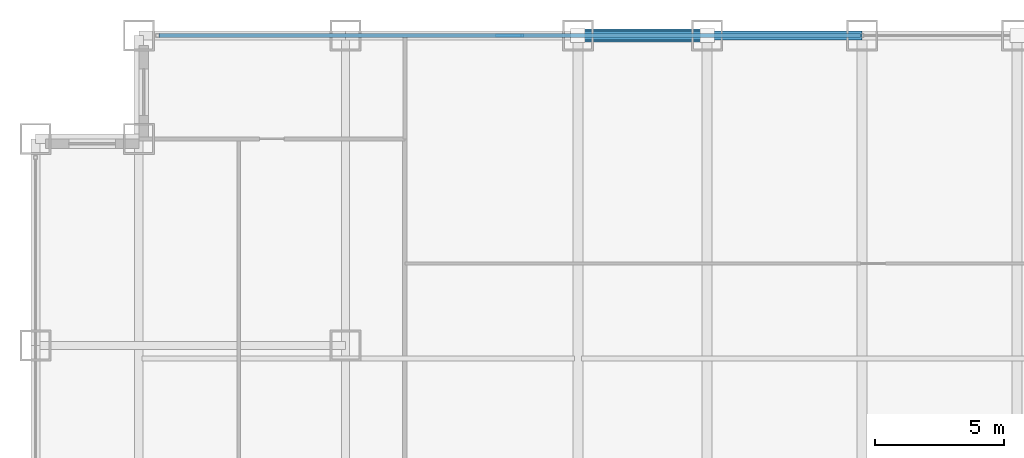
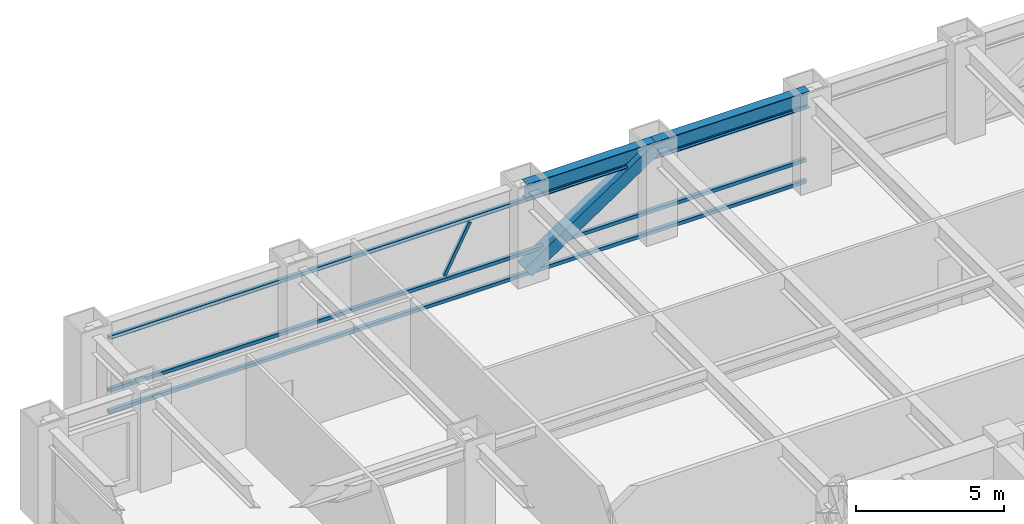
# One storey, part 18 of 27: 5 members, 2 beams, 1 element without a shape of its own.
"""IFC4 building model written with IfcOpenShell, lengths in metres."""

from ifc_helpers import new_model, si_unit, direction, frame, origin, origin_2d, place, context, subcontext, project, spatial, hollow_rectangle, i_section, extrude, source, transform, mapped, material, material_profile, profile_set, type_object, element, aggregate, save


model = new_model("IFC4")

# Units and contexts
model_context = context("Model", 3, precision=1e-05, world=origin(), true_north=direction((0.0, 1.0)))
body_context = subcontext(model_context, "Body", "Model", "MODEL_VIEW")
ifc_project = project(units=[si_unit("LENGTHUNIT", "METRE"), si_unit("AREAUNIT", "SQUARE_METRE"), si_unit("VOLUMEUNIT", "CUBIC_METRE"), si_unit("PLANEANGLEUNIT", "RADIAN"), si_unit("MASSUNIT", "GRAM", prefix="KILO")], contexts=[model_context])

# Site, building, storey
site_placement = place(None, origin())
site = spatial("IfcSite", under=ifc_project, at=site_placement, CompositionType="ELEMENT")
building_placement = place(site_placement, origin())
building = spatial("IfcBuilding", under=site, at=building_placement, Name="Khorayat Bourse Tower", CompositionType="ELEMENT")
storey_placement = place(building_placement, frame((0.0, 0.0, 103.699951171875)))
storey = spatial("IfcBuildingStorey", under=building, at=storey_placement, Name="L23", CompositionType="ELEMENT", Elevation=103.699951171875)

# Beams
ifc_material_1 = material(Name="Steel ASTM A992 Grade 50", Category="steel")
ifc_material_profile_1 = material_profile(ifc_material_1, i_section(OverallWidth=0.35498046875, OverallDepth=0.695068359375, WebThickness=0.015380859375, FlangeThickness=0.02490234375, FilletRadius=0.01806640625, at=origin_2d()), Name="W690X217")
ifc_profile_set_1 = profile_set([ifc_material_profile_1], Name="Steel ASTM A992 Grade 50")
beam_type = type_object("IfcBeamType", Name="BM-SPAN-690", PredefinedType="SPANDREL", material=ifc_profile_set_1)
shared_shape_1 = source(origin(), body_context, "Body", "SweptSolid", [
    extrude(i_section(OverallWidth=0.35498046875, OverallDepth=0.695068359375, WebThickness=0.015380859375, FlangeThickness=0.02490234375, FilletRadius=0.01806640625, at=origin_2d()), origin(), (0.0, 0.0, 1.0), 5.0),
])
beam_1_placement = place(storey_placement, frame((-11.0, 32.0, 3.492431640625), z_axis=(1.0, 0.0, 0.0), x_axis=(0.0, 1.0, 0.0)))
element("IfcBeam", 1, at=beam_1_placement, inside=storey, type_object=beam_type, Name="L23 BM-SPAN-690 BM-L23-SPN-049", PredefinedType="SPANDREL", context=body_context, shape_type="MappedRepresentation", body=[
    mapped(shared_shape_1, transform((0.0, 0.0, 0.0), scale=1.0)),
])
shared_shape_2 = source(origin(), body_context, "Body", "SweptSolid", [
    extrude(i_section(OverallWidth=0.35498046875, OverallDepth=0.695068359375, WebThickness=0.015380859375, FlangeThickness=0.02490234375, FilletRadius=0.01806640625, at=origin_2d()), origin(), (0.0, 0.0, 1.0), 6.0),
])
beam_2_placement = place(storey_placement, frame((-6.0, 32.0, 3.492431640625), z_axis=(1.0, 0.0, 0.0), x_axis=(0.0, 1.0, 0.0)))
element("IfcBeam", 2, at=beam_2_placement, inside=storey, type_object=beam_type, Name="L23 BM-SPAN-690 BM-L23-SPN-048", PredefinedType="SPANDREL", context=body_context, shape_type="MappedRepresentation", body=[
    mapped(shared_shape_2, transform((0.0, 0.0, 0.0), scale=1.0)),
])

# Member
ifc_material_2 = material(Name="Steel EN 10025-4 S460M", Category="steel")
ifc_material_profile_2 = material_profile(ifc_material_2, hollow_rectangle(XDim=0.5, YDim=0.5, WallThickness=0.028076171875, at=origin_2d()), Name="HSS 500x500x28")
ifc_profile_set_2 = profile_set([ifc_material_profile_2], Name="Steel EN 10025-4 S460M")
member_type_1 = type_object("IfcMemberType", Name="MBR-TUBE-500", PredefinedType="BRACE", material=ifc_profile_set_2)
shared_shape_3 = source(origin(), body_context, "Body", "SweptSolid", [
    extrude(hollow_rectangle(XDim=0.5, YDim=0.5, WallThickness=0.028076171875, at=origin_2d()), origin(), (0.0, 0.0, 1.0), 6.012939453125),
])
member_1_placement = place(storey_placement, frame((-11.0, 32.0, 0.25), z_axis=(0.831531473026, 0.0, 0.555477640745), x_axis=(0.0, 1.0, 0.0)))
element("IfcMember", 3, at=member_1_placement, inside=storey, type_object=member_type_1, Name="L23 Perimeter Tube Brace 03", PredefinedType="BRACE", context=body_context, shape_type="MappedRepresentation", body=[
    mapped(shared_shape_3, transform((0.0, 0.0, 0.0), scale=1.0)),
])

# Curtain wall, members
ifc_material_3 = material(Name="Aluminium EN AW-6063 T6", Category="aluminium")
curtain_wall_type = type_object("IfcCurtainWallType", Name="CW-SYS-02", PredefinedType="NOTDEFINED", material=ifc_material_3)
curtain_wall_placement = place(storey_placement, origin())
curtain_wall = element("IfcCurtainWall", 4, at=curtain_wall_placement, inside=storey, type_object=curtain_wall_type, Name="L23 Curtain Wall CW-L23-N1", PredefinedType="NOTDEFINED")
ifc_material_profile_3 = material_profile(ifc_material_3, hollow_rectangle(XDim=0.139892578125, YDim=0.139892578125, WallThickness=0.006103515625, at=origin_2d()), Name="ALU 140x140x6")
ifc_profile_set_3 = profile_set([ifc_material_profile_3], Name="Aluminium EN AW-6063 T6")
member_type_2 = type_object("IfcMemberType", Name="CWT-HORZ-140", PredefinedType="USERDEFINED", material=ifc_profile_set_3)
shared_shape_4 = source(origin(), body_context, "Body", "SweptSolid", [
    extrude(hollow_rectangle(XDim=0.139892578125, YDim=0.139892578125, WallThickness=0.006103515625, at=origin_2d()), origin(), (0.0, 0.0, 1.0), 27.139892578125),
])
member_2_placement = place(storey_placement, frame((-27.2099609375, 32.0, 0.070068359375), z_axis=(1.0, 0.0, 0.0), x_axis=(0.0, 1.0, 0.0)))
member_2 = element("IfcMember", 5, at=member_2_placement, type_object=member_type_2, Name="CW-L23-N1 Horizontal Transom 1-1", ObjectType="TRANSOM", PredefinedType="USERDEFINED", context=body_context, shape_type="MappedRepresentation", body=[
    mapped(shared_shape_4, transform((0.0, 0.0, 0.0), scale=1.0)),
])
member_3_placement = place(storey_placement, frame((-27.2099609375, 32.0, 0.949951171875), z_axis=(1.0, 0.0, 0.0), x_axis=(0.0, 1.0, 0.0)))
member_3 = element("IfcMember", 6, at=member_3_placement, type_object=member_type_2, Name="CW-L23-N1 Horizontal Transom 1-2", ObjectType="TRANSOM", PredefinedType="USERDEFINED", context=body_context, shape_type="MappedRepresentation", body=[
    mapped(shared_shape_4, transform((0.0, 0.0, 0.0), scale=1.0)),
])
member_4_placement = place(storey_placement, frame((-27.2099609375, 32.0, 3.1201171875), z_axis=(1.0, 0.0, 0.0), x_axis=(0.0, 1.0, 0.0)))
member_4 = element("IfcMember", 7, at=member_4_placement, type_object=member_type_2, Name="CW-L23-N1 Horizontal Transom 1-3", ObjectType="TRANSOM", PredefinedType="USERDEFINED", context=body_context, shape_type="MappedRepresentation", body=[
    mapped(shared_shape_4, transform((0.0, 0.0, 0.0), scale=1.0)),
])
ifc_material_profile_4 = material_profile(ifc_material_3, hollow_rectangle(XDim=0.1201171875, YDim=0.1201171875, WallThickness=0.0048828125, at=origin_2d()), Name="ALU 120x120x5")
ifc_profile_set_4 = profile_set([ifc_material_profile_4], Name="Aluminium EN AW-6063 T6")
member_type_3 = type_object("IfcMemberType", Name="CWM-DIAG-120", PredefinedType="MULLION", material=ifc_profile_set_4)
shared_shape_5 = source(origin(), body_context, "Body", "SweptSolid", [
    extrude(hollow_rectangle(XDim=0.1201171875, YDim=0.1201171875, WallThickness=0.0048828125, at=origin_2d()), origin(), (0.0, 0.0, 1.0), 2.113037109375),
])
member_5_placement = place(storey_placement, frame((-14.132080078125, 32.0, 1.10009765625), z_axis=(0.465741670874, 0.0, 0.884920728659), x_axis=(0.0, 1.0, 0.0)))
member_5 = element("IfcMember", 8, at=member_5_placement, type_object=member_type_3, Name="CW-L23-N1 Faceted Diagonal Mullion 1", PredefinedType="MULLION", context=body_context, shape_type="MappedRepresentation", body=[
    mapped(shared_shape_5, transform((0.0, 0.0, 0.0), scale=1.0)),
])
aggregate(curtain_wall, [member_2, member_3, member_4, member_5])

save(model, "model.ifc")
